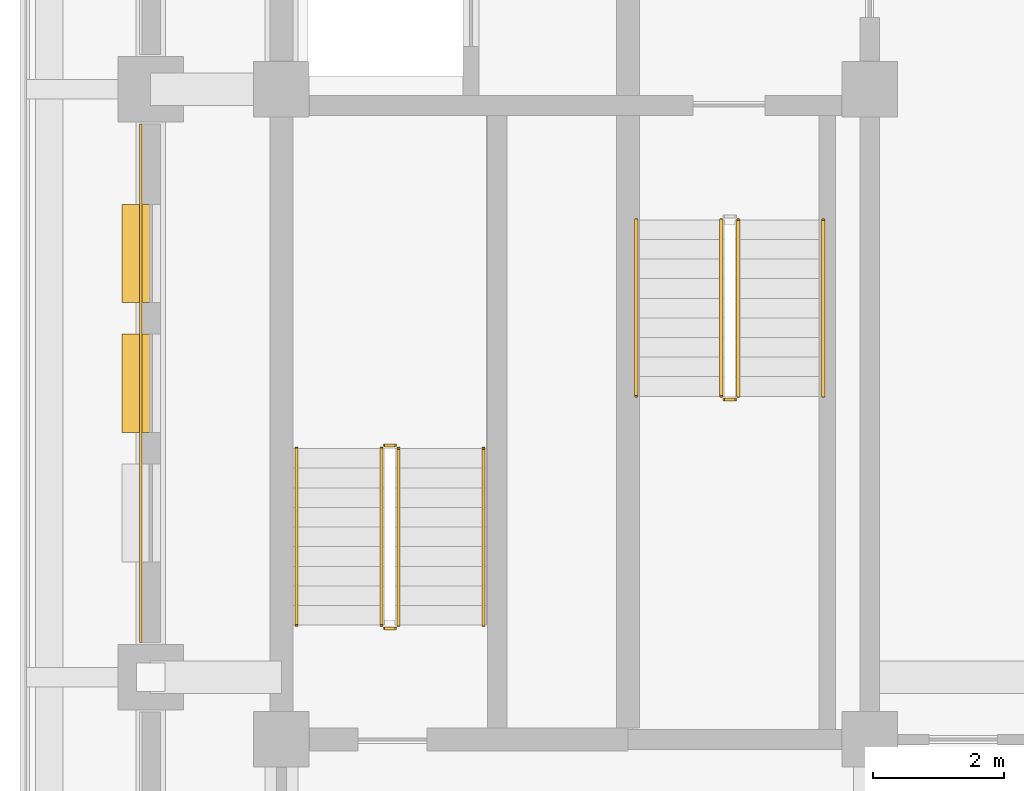
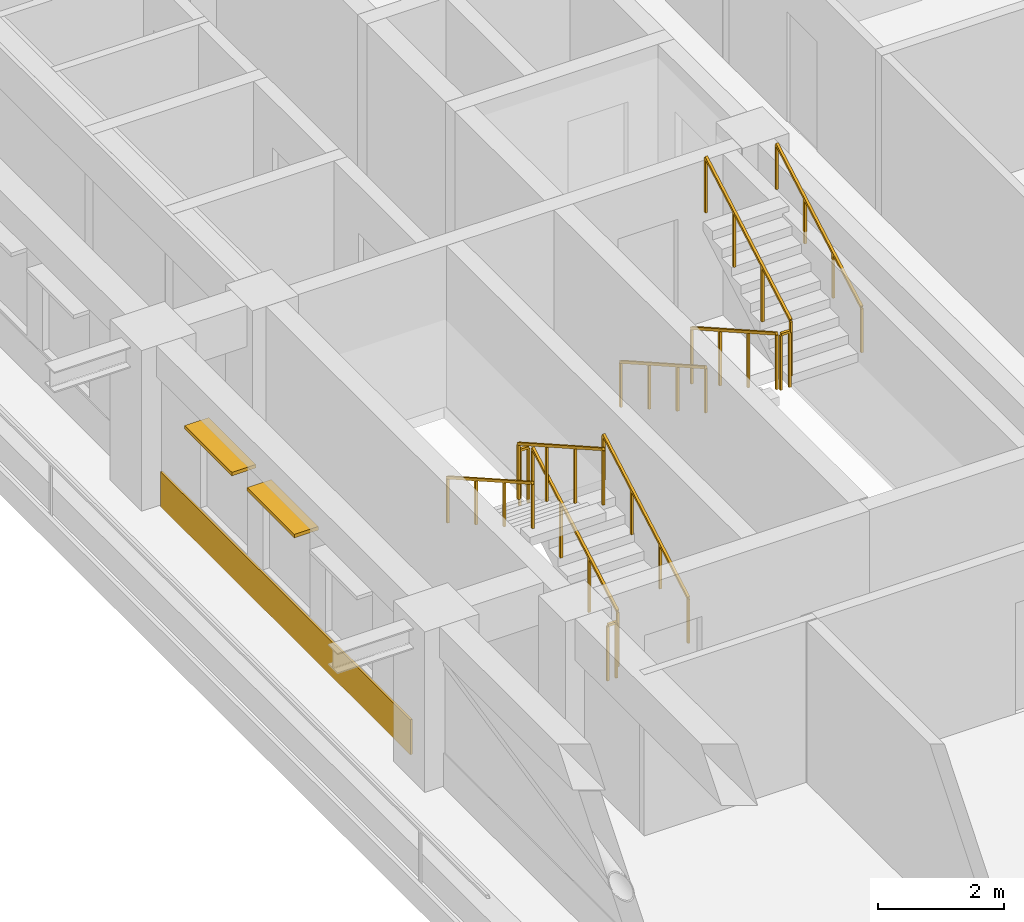
# One storey, part 10 of 15: 11 railings, 2 shading devices, 1 covering.
"""IFC4 building model written with IfcOpenShell, lengths in metres."""

from ifc_helpers import new_model, si_unit, direction, frame, frame_2d, origin, origin_2d, place, context, subcontext, project, spatial, rectangle, extrude, material, layer, layer_set, type_object, element, save


model = new_model("IFC4")

# Units and contexts
model_context = context("Model", 3, precision=1e-05, world=origin(), true_north=direction((0.0, 1.0)))
body_context = subcontext(model_context, "Body", "Model", "MODEL_VIEW")
ifc_project = project(units=[si_unit("LENGTHUNIT", "METRE"), si_unit("AREAUNIT", "SQUARE_METRE"), si_unit("VOLUMEUNIT", "CUBIC_METRE"), si_unit("PLANEANGLEUNIT", "RADIAN"), si_unit("MASSUNIT", "GRAM", prefix="KILO")], contexts=[model_context])

# Site, building, storey
site_placement = place(None, origin())
site = spatial("IfcSite", under=ifc_project, at=site_placement, CompositionType="ELEMENT")
building_placement = place(site_placement, origin())
building = spatial("IfcBuilding", under=site, at=building_placement, Name="Zulmaris Gate Convention Tower", CompositionType="ELEMENT")
storey_placement = place(building_placement, frame((0.0, 0.0, 172.85986328125)))
storey = spatial("IfcBuildingStorey", under=building, at=storey_placement, Name="L44", CompositionType="ELEMENT", Elevation=172.85986328125)

# Covering
ifc_material_1 = material(Name="Precast concrete C40/50", Category="concrete")
ifc_layer_1 = layer(ifc_material_1, 0.0400390625, Name="Precast concrete C40/50")
ifc_layer_set_1 = layer_set([ifc_layer_1], Name="Precast concrete C40/50")
covering_type = type_object("IfcCoveringType", Name="CLAD-SPANDREL-PRECAST", PredefinedType="CLADDING", material=ifc_layer_set_1)
covering_placement = place(storey_placement, frame((-22.14990234375, -0.530029296875, 0.0), z_axis=(0.0, 0.0, 1.0), x_axis=(0.0, -1.0, 0.0)))
element("IfcCovering", 1, at=covering_placement, inside=storey, type_object=covering_type, Name="CLD-L44-W-1_0", PredefinedType="CLADDING", context=body_context, shape_type="SweptSolid", body=[
    extrude(rectangle(XDim=7.93994140625, YDim=0.0400390625, at=frame_2d((3.969970703125, 0.0))), origin(), (0.0, 0.0, 1.0), 0.679931640625),
])

# Railings
ifc_material_2 = material(Name="Painted Galvanised Steel", Category="steel")
railing_type_1 = type_object("IfcRailingType", Name="RL-STG-1150", PredefinedType="GUARDRAIL", material=ifc_material_2)
railing_1_placement = place(storey_placement, frame((-13.27001953125, -2.0, 0.169921875)))
element("IfcRailing", 2, at=railing_1_placement, inside=storey, type_object=railing_type_1, Name="L44 ST-1 stair guard 1", PredefinedType="GUARDRAIL", context=body_context, shape_type="SweptSolid", body=[
    extrude(rectangle(XDim=0.048095703125, YDim=0.048095703125, at=origin_2d()), frame((0.0, 0.0, 1.076171875), z_axis=(0.0, -0.870014312096, 0.49302646658), x_axis=(1.0, 0.0, 0.0)), (0.0, 0.0, 1.0), 3.103271484375),
    extrude(rectangle(XDim=0.0419921875, YDim=0.0419921875, at=origin_2d()), origin(), (0.0, 0.0, 1.0), 1.052001953125),
    extrude(rectangle(XDim=0.0419921875, YDim=0.0419921875, at=origin_2d()), frame((0.0, -0.89990234375, 0.510009765625)), (0.0, 0.0, 1.0), 1.052001953125),
    extrude(rectangle(XDim=0.0419921875, YDim=0.0419921875, at=origin_2d()), frame((0.0, -1.800048828125, 1.02001953125)), (0.0, 0.0, 1.0), 1.052001953125),
    extrude(rectangle(XDim=0.0419921875, YDim=0.0419921875, at=origin_2d()), frame((0.0, -2.699951171875, 1.530029296875)), (0.0, 0.0, 1.0), 1.052001953125),
])
railing_2_placement = place(storey_placement, frame((-13.219970703125, -4.75, 1.699951171875)))
element("IfcRailing", 3, at=railing_2_placement, inside=storey, type_object=railing_type_1, Name="L44 ST-1 stair guard 2", PredefinedType="GUARDRAIL", context=body_context, shape_type="SweptSolid", body=[
    extrude(rectangle(XDim=0.048095703125, YDim=0.048095703125, at=origin_2d()), frame((0.0, 0.0, 1.076171875), z_axis=(1.0, 0.0, 0.0), x_axis=(0.0, 1.0, 0.0)), (0.0, 0.0, 1.0), 0.159912109375),
    extrude(rectangle(XDim=0.0419921875, YDim=0.0419921875, at=origin_2d()), origin(), (0.0, 0.0, 1.0), 1.052001953125),
    extrude(rectangle(XDim=0.0419921875, YDim=0.0419921875, at=origin_2d()), frame((0.159912109375, 0.0, 0.0)), (0.0, 0.0, 1.0), 1.052001953125),
])
for number, where, name in (
    (4, (-13.010009765625, -4.699951171875, 1.869873046875), "L44 ST-1 stair guard 3"),
    (5, (-18.2099609375, -8.199951171875, 0.169921875), "L44 ST-3 stair guard 1"),
):
    element("IfcRailing", number, at=place(storey_placement, frame(where)), inside=storey, type_object=railing_type_1, Name=name, PredefinedType="GUARDRAIL", context=body_context, shape_type="SweptSolid", body=[
        extrude(rectangle(XDim=0.048095703125, YDim=0.048095703125, at=origin_2d()), frame((0.0, 0.0, 1.076171875), z_axis=(0.0, 0.870014312096, 0.49302646658), x_axis=(-1.0, 0.0, 0.0)), (0.0, 0.0, 1.0), 3.103271484375),
        extrude(rectangle(XDim=0.0419921875, YDim=0.0419921875, at=origin_2d()), origin(), (0.0, 0.0, 1.0), 1.052001953125),
        extrude(rectangle(XDim=0.0419921875, YDim=0.0419921875, at=origin_2d()), frame((0.0, 0.89990234375, 0.510009765625)), (0.0, 0.0, 1.0), 1.052001953125),
        extrude(rectangle(XDim=0.0419921875, YDim=0.0419921875, at=origin_2d()), frame((0.0, 1.800048828125, 1.02001953125)), (0.0, 0.0, 1.0), 1.052001953125),
        extrude(rectangle(XDim=0.0419921875, YDim=0.0419921875, at=origin_2d()), frame((0.0, 2.699951171875, 1.530029296875)), (0.0, 0.0, 1.0), 1.052001953125),
    ])
railing_3_placement = place(storey_placement, frame((-18.260009765625, -5.449951171875, 1.699951171875)))
element("IfcRailing", 6, at=railing_3_placement, inside=storey, type_object=railing_type_1, Name="L44 ST-3 stair guard 2", PredefinedType="GUARDRAIL", context=body_context, shape_type="SweptSolid", body=[
    extrude(rectangle(XDim=0.048095703125, YDim=0.048095703125, at=origin_2d()), frame((0.0, 0.0, 1.076171875), z_axis=(-1.0, 0.0, 0.0), x_axis=(0.0, -1.0, 0.0)), (0.0, 0.0, 1.0), 0.159912109375),
    extrude(rectangle(XDim=0.0419921875, YDim=0.0419921875, at=origin_2d()), origin(), (0.0, 0.0, 1.0), 1.052001953125),
    extrude(rectangle(XDim=0.0419921875, YDim=0.0419921875, at=origin_2d()), frame((-0.159912109375, 0.0, 0.0)), (0.0, 0.0, 1.0), 1.052001953125),
])
railing_4_placement = place(storey_placement, frame((-18.469970703125, -5.5, 1.869873046875)))
element("IfcRailing", 7, at=railing_4_placement, inside=storey, type_object=railing_type_1, Name="L44 ST-3 stair guard 3", PredefinedType="GUARDRAIL", context=body_context, shape_type="SweptSolid", body=[
    extrude(rectangle(XDim=0.048095703125, YDim=0.048095703125, at=origin_2d()), frame((0.0, 0.0, 1.076171875), z_axis=(0.0, -0.870014312096, 0.49302646658), x_axis=(1.0, 0.0, 0.0)), (0.0, 0.0, 1.0), 3.103271484375),
    extrude(rectangle(XDim=0.0419921875, YDim=0.0419921875, at=origin_2d()), origin(), (0.0, 0.0, 1.0), 1.052001953125),
    extrude(rectangle(XDim=0.0419921875, YDim=0.0419921875, at=origin_2d()), frame((0.0, -0.89990234375, 0.510009765625)), (0.0, 0.0, 1.0), 1.052001953125),
    extrude(rectangle(XDim=0.0419921875, YDim=0.0419921875, at=origin_2d()), frame((0.0, -1.800048828125, 1.02001953125)), (0.0, 0.0, 1.0), 1.052001953125),
    extrude(rectangle(XDim=0.0419921875, YDim=0.0419921875, at=origin_2d()), frame((0.0, -2.699951171875, 1.530029296875)), (0.0, 0.0, 1.0), 1.052001953125),
])
railing_5_placement = place(storey_placement, frame((-18.260009765625, -8.25, 0.0)))
element("IfcRailing", 8, at=railing_5_placement, inside=storey, type_object=railing_type_1, Name="L44 ST-3 stair guard 4", PredefinedType="GUARDRAIL", context=body_context, shape_type="SweptSolid", body=[
    extrude(rectangle(XDim=0.048095703125, YDim=0.048095703125, at=origin_2d()), frame((0.0, 0.0, 1.076171875), z_axis=(-1.0, 0.0, 0.0), x_axis=(0.0, -1.0, 0.0)), (0.0, 0.0, 1.0), 0.159912109375),
    extrude(rectangle(XDim=0.0419921875, YDim=0.0419921875, at=origin_2d()), origin(), (0.0, 0.0, 1.0), 1.052001953125),
    extrude(rectangle(XDim=0.0419921875, YDim=0.0419921875, at=origin_2d()), frame((-0.159912109375, 0.0, 0.0)), (0.0, 0.0, 1.0), 1.052001953125),
])
ifc_material_3 = material(Name="Brushed Stainless Steel", Category="steel")
railing_type_2 = type_object("IfcRailingType", Name="RL-STH-900", PredefinedType="HANDRAIL", material=ifc_material_3)
railing_6_placement = place(storey_placement, frame((-14.570068359375, -2.0, 0.169921875)))
element("IfcRailing", 9, at=railing_6_placement, inside=storey, type_object=railing_type_2, Name="L44 ST-1 stair handrail 1", PredefinedType="HANDRAIL", context=body_context, shape_type="SweptSolid", body=[
    extrude(rectangle(XDim=0.048095703125, YDim=0.048095703125, at=origin_2d()), frame((0.0, 0.0, 0.8759765625), z_axis=(0.0, -0.870014312096, 0.49302646658), x_axis=(1.0, 0.0, 0.0)), (0.0, 0.0, 1.0), 3.103271484375),
    extrude(rectangle(XDim=0.0419921875, YDim=0.0419921875, at=origin_2d()), origin(), (0.0, 0.0, 1.0), 0.851806640625),
    extrude(rectangle(XDim=0.0419921875, YDim=0.0419921875, at=origin_2d()), frame((0.0, -0.89990234375, 0.510009765625)), (0.0, 0.0, 1.0), 0.851806640625),
    extrude(rectangle(XDim=0.0419921875, YDim=0.0419921875, at=origin_2d()), frame((0.0, -1.800048828125, 1.02001953125)), (0.0, 0.0, 1.0), 0.851806640625),
    extrude(rectangle(XDim=0.0419921875, YDim=0.0419921875, at=origin_2d()), frame((0.0, -2.699951171875, 1.530029296875)), (0.0, 0.0, 1.0), 0.851806640625),
])
for number, where, name in (
    (10, (-11.7099609375, -4.699951171875, 1.869873046875), "L44 ST-1 stair handrail 2"),
    (11, (-16.909912109375, -8.199951171875, 0.169921875), "L44 ST-3 stair handrail 1"),
):
    element("IfcRailing", number, at=place(storey_placement, frame(where)), inside=storey, type_object=railing_type_2, Name=name, PredefinedType="HANDRAIL", context=body_context, shape_type="SweptSolid", body=[
        extrude(rectangle(XDim=0.048095703125, YDim=0.048095703125, at=origin_2d()), frame((0.0, 0.0, 0.8759765625), z_axis=(0.0, 0.870014312096, 0.49302646658), x_axis=(-1.0, 0.0, 0.0)), (0.0, 0.0, 1.0), 3.103271484375),
        extrude(rectangle(XDim=0.0419921875, YDim=0.0419921875, at=origin_2d()), origin(), (0.0, 0.0, 1.0), 0.851806640625),
        extrude(rectangle(XDim=0.0419921875, YDim=0.0419921875, at=origin_2d()), frame((0.0, 0.89990234375, 0.510009765625)), (0.0, 0.0, 1.0), 0.851806640625),
        extrude(rectangle(XDim=0.0419921875, YDim=0.0419921875, at=origin_2d()), frame((0.0, 1.800048828125, 1.02001953125)), (0.0, 0.0, 1.0), 0.851806640625),
        extrude(rectangle(XDim=0.0419921875, YDim=0.0419921875, at=origin_2d()), frame((0.0, 2.699951171875, 1.530029296875)), (0.0, 0.0, 1.0), 0.851806640625),
    ])
railing_7_placement = place(storey_placement, frame((-19.77001953125, -5.5, 1.869873046875)))
element("IfcRailing", 12, at=railing_7_placement, inside=storey, type_object=railing_type_2, Name="L44 ST-3 stair handrail 2", PredefinedType="HANDRAIL", context=body_context, shape_type="SweptSolid", body=[
    extrude(rectangle(XDim=0.048095703125, YDim=0.048095703125, at=origin_2d()), frame((0.0, 0.0, 0.8759765625), z_axis=(0.0, -0.870014312096, 0.49302646658), x_axis=(1.0, 0.0, 0.0)), (0.0, 0.0, 1.0), 3.103271484375),
    extrude(rectangle(XDim=0.0419921875, YDim=0.0419921875, at=origin_2d()), origin(), (0.0, 0.0, 1.0), 0.851806640625),
    extrude(rectangle(XDim=0.0419921875, YDim=0.0419921875, at=origin_2d()), frame((0.0, -0.89990234375, 0.510009765625)), (0.0, 0.0, 1.0), 0.851806640625),
    extrude(rectangle(XDim=0.0419921875, YDim=0.0419921875, at=origin_2d()), frame((0.0, -1.800048828125, 1.02001953125)), (0.0, 0.0, 1.0), 0.851806640625),
    extrude(rectangle(XDim=0.0419921875, YDim=0.0419921875, at=origin_2d()), frame((0.0, -2.699951171875, 1.530029296875)), (0.0, 0.0, 1.0), 0.851806640625),
])

# Shading devices
ifc_material_4 = material(Name="Glazed Ceramic Terracotta", Category="masonry")
ifc_layer_2 = layer(ifc_material_4, 0.070068359375, Name="Glazed Ceramic Terracotta")
ifc_layer_set_2 = layer_set([ifc_layer_2], Name="Glazed Ceramic Terracotta")
shading_device_type = type_object("IfcShadingDeviceType", Name="SHD-SUNSHADE-TC", PredefinedType="AWNING", material=ifc_layer_set_2)
for number, where, z_axis, x_axis, name in (
    (13, (-22.219970703125, -1.764892578125, 2.35009765625), (0.0, 0.0, 1.0), (0.0, -1.0, 0.0), "SHD-EW-L44-W-1_0-1"),
    (14, (-22.219970703125, -3.75, 2.35009765625), (0.0, 0.0, 1.0), (0.0, -1.0, 0.0), "SHD-EW-L44-W-1_0-2"),
):
    element("IfcShadingDevice", number, at=place(storey_placement, frame(where, z_axis=z_axis, x_axis=x_axis)), inside=storey, type_object=shading_device_type, Name=name, PredefinedType="AWNING", context=body_context, shape_type="SweptSolid", body=[
        extrude(rectangle(XDim=1.5, YDim=0.43994140625, at=frame_2d((0.75, 0.0))), origin(), (0.0, 0.0, 1.0), 0.06982421875),
    ])

save(model, "model.ifc")
